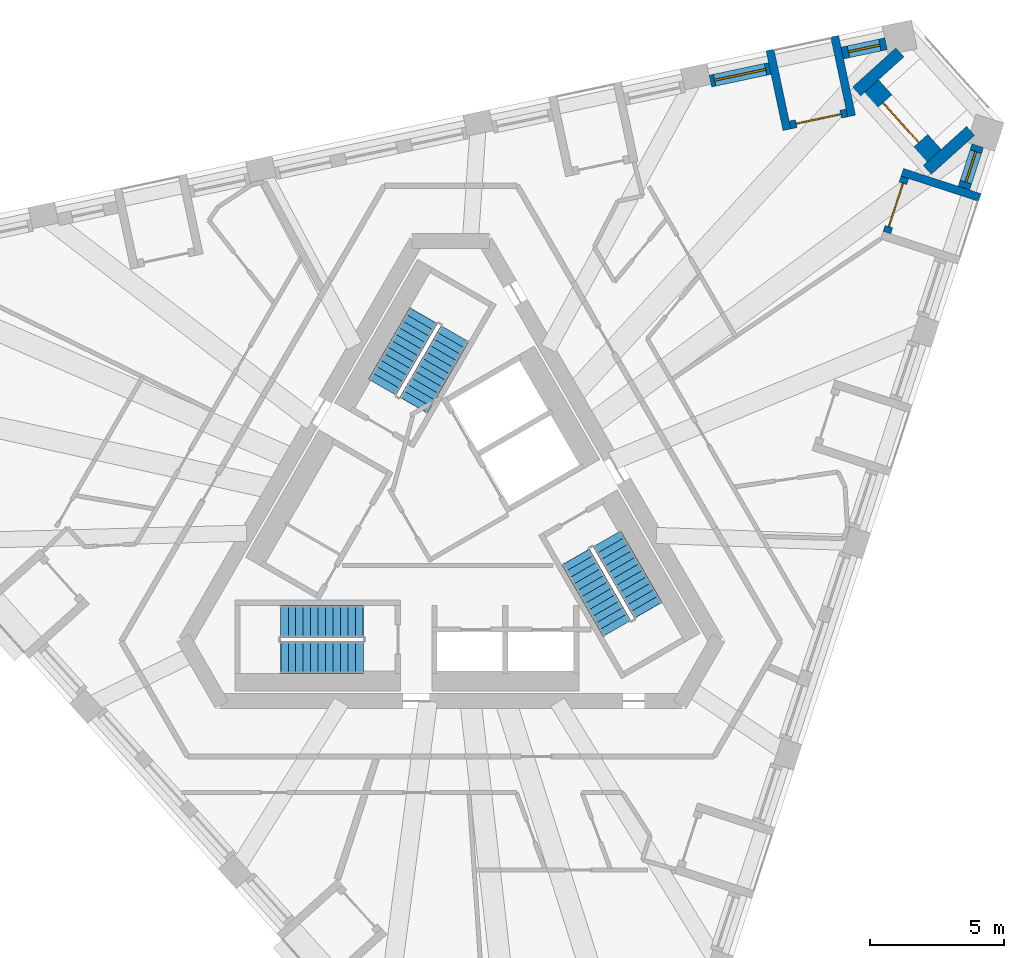
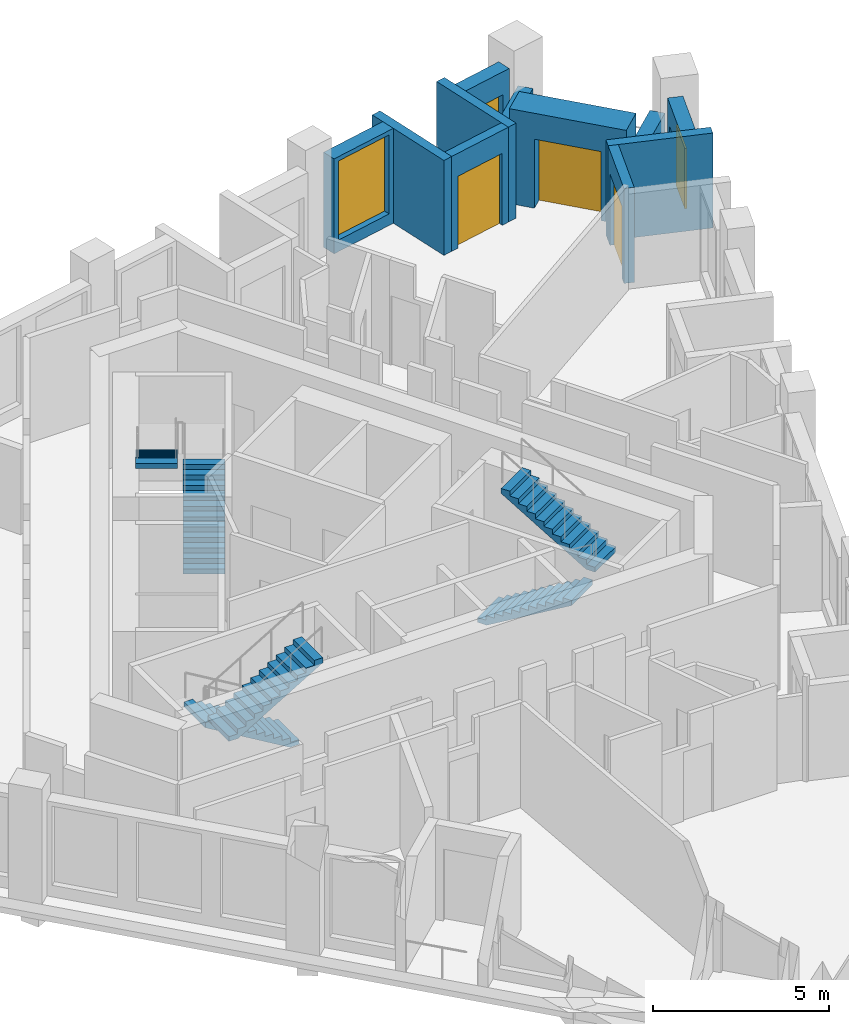
# One storey, part 8 of 12: 11 walls, 6 stair flights, 3 doors, 3 windows, 6 openings, 3 elements without a shape of their own.
"""IFC4 building model written with IfcOpenShell, lengths in metres."""

import ifcopenshell
import ifcopenshell.guid

model = None  # the IFC model being written
_history = None  # IfcOwnerHistory: only IFC2X3 demands one
_inside = {}  # id of a spatial element -> (the spatial element, [elements in it])
_under = {}  # id of a project, library or spatial element -> (it, [spatial elements below it])
_declared = {}  # id of a project -> (the project, [libraries it declares])
_typed = {}  # id of a type object -> (the type object, [elements of that type])
_made_of = {}  # id of a material, layer set ... -> (it, [elements and type objects made of it])


def new_model(schema):
    """Start an empty IFC model of exactly this schema.

    Asked for "IFC4X3", IfcOpenShell would pick the latest addendum, in which some entities
    have other attributes; the version numbers below select the first issue.
    IFC2X3 requires an IfcOwnerHistory on every rooted entity: one is made here for all.
    """
    global model, _history
    if schema == "IFC4X3":
        model = ifcopenshell.file(schema_version=(4, 3, 0, 0))
    else:
        model = ifcopenshell.file(schema=schema)
    _inside.clear()
    _under.clear()
    _declared.clear()
    _typed.clear()
    _made_of.clear()
    _history = None
    if model.schema == "IFC2X3":
        org = make("IfcOrganization", Name="unknown")
        user = make(
            "IfcPersonAndOrganization",
            ThePerson=make("IfcPerson", FamilyName="unknown"),
            TheOrganization=org,
        )
        app = make(
            "IfcApplication",
            ApplicationDeveloper=org,
            Version="unknown",
            ApplicationFullName="unknown",
            ApplicationIdentifier="unknown",
        )
        _history = make(
            "IfcOwnerHistory",
            OwningUser=user,
            OwningApplication=app,
            ChangeAction="ADDED",
            CreationDate=0,
        )
    return model


def make(cls, **values):
    """One entity of the class cls with the attributes given. An attribute that is None is left unset."""
    return model.create_entity(
        cls, **{name: value for name, value in values.items() if value is not None}
    )


def rooted(cls, **values):
    """An entity with a GlobalId (a new one), such as an element, a storey or a relation."""
    return make(cls, GlobalId=ifcopenshell.guid.new(), OwnerHistory=_history, **values)


def si_unit(unit_type, name, prefix=None):
    """IfcSIUnit, for example si_unit("LENGTHUNIT", "METRE", prefix="MILLI")."""
    return make("IfcSIUnit", UnitType=unit_type, Prefix=prefix, Name=name)


def assignment(units):
    """IfcUnitAssignment: the units of a project."""
    return None if units is None else make("IfcUnitAssignment", Units=units)


def point(xyz):
    """IfcCartesianPoint."""
    return None if xyz is None else make("IfcCartesianPoint", Coordinates=xyz)


def direction(xyz):
    """IfcDirection."""
    return None if xyz is None else make("IfcDirection", DirectionRatios=xyz)


def frame(location, z_axis=None, x_axis=None):
    """IfcAxis2Placement3D, a coordinate frame: its origin and axes. An axis left out is left unset."""
    return make(
        "IfcAxis2Placement3D",
        Location=point(location),
        Axis=direction(z_axis),
        RefDirection=direction(x_axis),
    )


def frame_2d(location, x_axis=None):
    """IfcAxis2Placement2D, a coordinate frame in the plane: its origin and x axis."""
    return make(
        "IfcAxis2Placement2D", Location=point(location), RefDirection=direction(x_axis)
    )


def origin():
    """The frame at (0, 0, 0) with its axes left unset."""
    return frame((0.0, 0.0, 0.0))


def place(relative_to, where):
    """IfcLocalPlacement: puts the frame where relative to a parent placement (None: the world)."""
    return make(
        "IfcLocalPlacement", PlacementRelTo=relative_to, RelativePlacement=where
    )


def context(
    kind, dimensions, precision=None, world=None, true_north=None, identifier=None
):
    """IfcGeometricRepresentationContext, for example the 3D "Model" context."""
    return make(
        "IfcGeometricRepresentationContext",
        ContextIdentifier=identifier,
        ContextType=kind,
        CoordinateSpaceDimension=dimensions,
        Precision=precision,
        WorldCoordinateSystem=world,
        TrueNorth=true_north,
    )


def subcontext(parent, identifier, kind, view, scale=None):
    """IfcGeometricRepresentationSubContext, for example "Body" below "Model"."""
    return make(
        "IfcGeometricRepresentationSubContext",
        ContextIdentifier=identifier,
        ContextType=kind,
        ParentContext=parent,
        TargetScale=scale,
        TargetView=view,
    )


def project(units=None, contexts=None):
    """IfcProject with its units and contexts."""
    return rooted(
        "IfcProject",
        Name="project",
        RepresentationContexts=contexts,
        UnitsInContext=assignment(units),
    )


def spatial(cls, under=None, at=None, **own):
    """A site, building, storey or space (cls), placed at a placement, below another one or the project."""
    s = rooted(cls, ObjectPlacement=at, **own)
    if under is not None:
        _under.setdefault(under.id(), (under, []))[1].append(s)
    return s


def polyline(points):
    """IfcPolyline through the points."""
    return make("IfcPolyline", Points=[point(p) for p in points])


def profile(cls, at=None, kind="AREA", **sizes):
    """A parametric profile (cls). Its sizes go by their IFC names, for example OverallWidth=200.0."""
    return make(cls, ProfileType=kind, Position=at, **sizes)


def rectangle(**sizes):
    """IfcRectangleProfileDef."""
    return profile("IfcRectangleProfileDef", **sizes)


def outline(outer, holes=None, kind="AREA"):
    """IfcArbitraryClosedProfileDef: a profile drawn as a closed curve; with holes, ...WithVoids."""
    if holes is None:
        return make("IfcArbitraryClosedProfileDef", ProfileType=kind, OuterCurve=outer)
    return make(
        "IfcArbitraryProfileDefWithVoids",
        ProfileType=kind,
        OuterCurve=outer,
        InnerCurves=holes,
    )


def extrude(swept, where, along, depth):
    """IfcExtrudedAreaSolid: the profile swept, set in the frame where, extruded along a direction by depth."""
    return make(
        "IfcExtrudedAreaSolid",
        SweptArea=swept,
        Position=where,
        ExtrudedDirection=direction(along),
        Depth=depth,
    )


def shape(context_of_items, identifier, shape_type, items):
    """IfcShapeRepresentation: the items that make up one representation, for example the "Body"."""
    return make(
        "IfcShapeRepresentation",
        ContextOfItems=context_of_items,
        RepresentationIdentifier=identifier,
        RepresentationType=shape_type,
        Items=items,
    )


def material(Name=None, Category=None):
    """IfcMaterial."""
    return make("IfcMaterial", Name=Name, Category=Category)


def layer(
    of_material, thickness, ventilated=None, Name=None, Category=None, Priority=None
):
    """IfcMaterialLayer: one layer of a wall or slab, of a material (None: an air gap)."""
    return make(
        "IfcMaterialLayer",
        Material=of_material,
        LayerThickness=thickness,
        IsVentilated=ventilated,
        Name=Name,
        Category=Category,
        Priority=Priority,
    )


def layer_set(layers, Name=None):
    """IfcMaterialLayerSet."""
    return make("IfcMaterialLayerSet", MaterialLayers=layers, LayerSetName=Name)


def made_of(thing, what):
    """Note that an element or type object is made of a material, layer set ...; save() writes the relation."""
    if what is not None:
        _made_of.setdefault(what.id(), (what, []))[1].append(thing)
    return thing


def type_object(cls, material=None, **own):
    """A type object (cls), such as IfcWallType, which elements share."""
    return made_of(rooted(cls, **own), material)


def element(
    cls,
    number,
    at=None,
    inside=None,
    cuts=None,
    type_object=None,
    material=None,
    context=None,
    identifier="Body",
    shape_type=None,
    held_by="IfcProductDefinitionShape",
    body=None,
    shapes=None,
    **own,
):
    """One element of the class cls, such as IfcWall. Its Tag is "e" and its number.

    at: its placement. inside: the storey or other place that contains it. cuts: it is an
    opening in that element (IfcRelVoidsElement). A single representation is given by context,
    identifier, shape_type and body (its items); several are given by shapes. held_by: the class
    of the entity that holds the representations. save() writes the other relations.
    """
    e = rooted(cls, Tag="e%d" % number, ObjectPlacement=at, **own)
    if body is not None:
        shapes = [shape(context, identifier, shape_type, body)]
    if shapes is not None:
        e.Representation = make(held_by, Representations=shapes)
    if inside is not None:
        _inside.setdefault(inside.id(), (inside, []))[1].append(e)
    if cuts is not None:
        rooted(
            "IfcRelVoidsElement", RelatingBuildingElement=cuts, RelatedOpeningElement=e
        )
    if type_object is not None:
        _typed.setdefault(type_object.id(), (type_object, []))[1].append(e)
    return made_of(e, material)


def fill(opening, filler):
    """IfcRelFillsElement: the door or window that sits in an opening."""
    return rooted(
        "IfcRelFillsElement",
        RelatingOpeningElement=opening,
        RelatedBuildingElement=filler,
    )


def aggregate(whole, parts):
    """IfcRelAggregates: a whole, such as a stair, and the parts it consists of."""
    return rooted("IfcRelAggregates", RelatingObject=whole, RelatedObjects=parts)


def save(model, path):
    """Write the relations noted so far, then the file.

    IfcRelAggregates (storeys below a building ...), IfcRelContainedInSpatialStructure (elements
    in a storey), IfcRelDefinesByType, IfcRelAssociatesMaterial and IfcRelDeclares: one each for
    every whole, place, type object, material and project.
    """
    for whole, parts in _under.values():
        aggregate(whole, parts)
    for where, things in _inside.values():
        rooted(
            "IfcRelContainedInSpatialStructure",
            RelatedElements=things,
            RelatingStructure=where,
        )
    for kind, things in _typed.values():
        rooted("IfcRelDefinesByType", RelatedObjects=things, RelatingType=kind)
    for what, things in _made_of.values():
        rooted("IfcRelAssociatesMaterial", RelatedObjects=things, RelatingMaterial=what)
    for by, libraries in _declared.values():
        rooted("IfcRelDeclares", RelatingContext=by, RelatedDefinitions=libraries)
    model.write(path)


model = new_model("IFC4")

# Units and contexts
model_context = context("Model", 3, precision=1e-05, world=origin(), true_north=direction((0.0, 1.0)))
body_context = subcontext(model_context, "Body", "Model", "MODEL_VIEW")
ifc_project = project(units=[si_unit("LENGTHUNIT", "METRE"), si_unit("AREAUNIT", "SQUARE_METRE"), si_unit("VOLUMEUNIT", "CUBIC_METRE"), si_unit("PLANEANGLEUNIT", "RADIAN"), si_unit("MASSUNIT", "GRAM", prefix="KILO")], contexts=[model_context])

# Site, building, storey
site_placement = place(None, origin())
site = spatial("IfcSite", under=ifc_project, at=site_placement, CompositionType="ELEMENT")
building_placement = place(site_placement, origin())
building = spatial("IfcBuilding", under=site, at=building_placement, Name="Tramontana Tower", CompositionType="ELEMENT")
storey_placement = place(building_placement, frame((0.0, 0.0, 336.39990234375)))
storey = spatial("IfcBuildingStorey", under=building, at=storey_placement, Name="L77", CompositionType="ELEMENT", Elevation=336.39990234375)

# Wall, opening, window
ifc_material_1 = material(Name="Precast concrete 60 MPa", Category="concrete")
ifc_layer_1 = layer(ifc_material_1, 0.449951171875)
ifc_layer_set_1 = layer_set([ifc_layer_1], Name="Precast concrete 60 MPa, 450 mm")
wall_type_1 = type_object("IfcWallType", Name="EW1 Stone-faced precast wall 450", PredefinedType="SOLIDWALL", material=ifc_layer_set_1)
wall_1_placement = place(storey_placement, frame((19.1904296875, 12.705078125, 0.0), z_axis=(0.0, 0.0, 1.0), x_axis=(0.30898696848, 0.951066271776, 0.0)))
wall_1 = element("IfcWall", 1, at=wall_1_placement, inside=storey, type_object=wall_type_1, Name="External wall L77 face 1 bay 5", PredefinedType="SOLIDWALL", context=body_context, shape_type="SweptSolid", body=[
    extrude(rectangle(XDim=1.671142578125, YDim=0.449951171875, at=frame_2d((0.83544921875, 0.0))), origin(), (0.0, 0.0, 1.0), 3.300048828125),
])
opening_1_placement = place(wall_1_placement, frame((0.235595703125, 0.0, 0.39990234375)))
opening_1 = element("IfcOpeningElement", 2, at=opening_1_placement, cuts=wall_1, Name="Opening N3L", PredefinedType="OPENING", context=body_context, shape_type="SweptSolid", body=[
    extrude(rectangle(XDim=1.199951171875, YDim=2.10009765625, at=frame_2d((0.60009765625, 1.050048828125))), frame((0.0, 0.23486328125, 0.0), z_axis=(0.0, -1.0, 0.0), x_axis=(1.0, 0.0, 0.0)), (0.0, 0.0, 1.0), 0.469970703125),
])
ifc_material_2 = material(Name="Aluminum frame, double glazing unit", Category="aluminium")
window_type_1 = type_object("IfcWindowType", Name="N3L Window 1.2 x 2.1", PartitioningType="SINGLE_PANEL", PredefinedType="WINDOW", material=ifc_material_2)
window_1_placement = place(opening_1_placement, origin())
window_1 = element("IfcWindow", 3, at=window_1_placement, inside=storey, type_object=window_type_1, Name="Window N3L L77 face 1 module 15", OverallHeight=2.10009765625, OverallWidth=1.199951171875, PartitioningType="SINGLE_PANEL", PredefinedType="WINDOW", context=body_context, shape_type="SweptSolid", body=[
    extrude(rectangle(XDim=1.199951171875, YDim=2.10009765625, at=frame_2d((0.60009765625, 1.050048828125))), frame((0.0, 0.030029296875, 0.0), z_axis=(0.0, -1.0, 0.0), x_axis=(1.0, 0.0, 0.0)), (0.0, 0.0, 1.0), 0.06005859375),
])
fill(opening_1, window_1)

wall_2_placement = place(storey_placement, frame((16.276123046875, 18.104736328125, 0.0), z_axis=(0.0, 0.0, 1.0), x_axis=(-0.978126168783, -0.208012494676, 0.0)))
wall_2 = element("IfcWall", 4, at=wall_2_placement, inside=storey, type_object=wall_type_1, Name="External wall L77 face 2 bay 1", PredefinedType="SOLIDWALL", context=body_context, shape_type="SweptSolid", body=[
    extrude(rectangle(XDim=1.67138671875, YDim=0.449951171875, at=frame_2d((0.835693359375, 0.0))), origin(), (0.0, 0.0, 1.0), 3.300048828125),
])
opening_2_placement = place(wall_2_placement, frame((0.235595703125, 0.0, 0.39990234375)))
opening_2 = element("IfcOpeningElement", 5, at=opening_2_placement, cuts=wall_2, Name="Opening N3L", PredefinedType="OPENING", context=body_context, shape_type="SweptSolid", body=[
    extrude(rectangle(XDim=1.199951171875, YDim=2.10009765625, at=frame_2d((0.60009765625, 1.050048828125))), frame((0.0, 0.23486328125, 0.0), z_axis=(0.0, -1.0, 0.0), x_axis=(1.0, 0.0, 0.0)), (0.0, 0.0, 1.0), 0.469970703125),
])
window_2_placement = place(opening_2_placement, origin())
window_2 = element("IfcWindow", 6, at=window_2_placement, inside=storey, type_object=window_type_1, Name="Window N3L L77 face 2 module 1", OverallHeight=2.10009765625, OverallWidth=1.199951171875, PartitioningType="SINGLE_PANEL", PredefinedType="WINDOW", context=body_context, shape_type="SweptSolid", body=[
    extrude(rectangle(XDim=1.199951171875, YDim=2.10009765625, at=frame_2d((0.60009765625, 1.050048828125))), frame((0.0, 0.030029296875, 0.0), z_axis=(0.0, -1.0, 0.0), x_axis=(1.0, 0.0, 0.0)), (0.0, 0.0, 1.0), 0.06005859375),
])
fill(opening_2, window_2)

wall_3_placement = place(storey_placement, frame((11.9306640625, 17.180908203125, 0.0), z_axis=(0.0, 0.0, 1.0), x_axis=(-0.978153386925, -0.207884467067, 0.0)))
wall_3 = element("IfcWall", 7, at=wall_3_placement, inside=storey, type_object=wall_type_1, Name="External wall L77 face 2 bay 1", PredefinedType="SOLIDWALL", context=body_context, shape_type="SweptSolid", body=[
    extrude(rectangle(XDim=2.271240234375, YDim=0.449951171875, at=frame_2d((1.1357421875, 0.0))), origin(), (0.0, 0.0, 1.0), 3.300048828125),
])
opening_3_placement = place(wall_3_placement, frame((0.16064453125, 0.0, 0.39990234375)))
opening_3 = element("IfcOpeningElement", 8, at=opening_3_placement, cuts=wall_3, Name="Opening M3", PredefinedType="OPENING", context=body_context, shape_type="SweptSolid", body=[
    extrude(rectangle(XDim=1.949951171875, YDim=2.75, at=frame_2d((0.97509765625, 1.375))), frame((0.0, 0.23486328125, 0.0), z_axis=(0.0, -1.0, 0.0), x_axis=(1.0, 0.0, 0.0)), (0.0, 0.0, 1.0), 0.469970703125),
])
ifc_material_3 = material(Name="Aluminum frame, double glazing unit", Category="aluminium")
window_type_2 = type_object("IfcWindowType", Name="M3 Window 1.95 x 2.75", PartitioningType="SINGLE_PANEL", PredefinedType="WINDOW", material=ifc_material_3)
window_3_placement = place(opening_3_placement, origin())
window_3 = element("IfcWindow", 9, at=window_3_placement, inside=storey, type_object=window_type_2, Name="Window M3 L77 face 2 module 3", OverallHeight=2.75, OverallWidth=1.949951171875, PartitioningType="SINGLE_PANEL", PredefinedType="WINDOW", context=body_context, shape_type="SweptSolid", body=[
    extrude(rectangle(XDim=1.949951171875, YDim=2.75, at=frame_2d((0.97509765625, 1.375))), frame((0.0, 0.030029296875, 0.0), z_axis=(0.0, -1.0, 0.0), x_axis=(1.0, 0.0, 0.0)), (0.0, 0.0, 1.0), 0.06005859375),
])
fill(opening_3, window_3)

# Walls
wall_4_placement = place(storey_placement, frame((16.795654296875, 17.780517578125, 0.0), z_axis=(0.0, 0.0, 1.0), x_axis=(-0.743165997662, -0.669107091518, 0.0)))
element("IfcWall", 10, at=wall_4_placement, inside=storey, type_object=wall_type_1, Name="Corner loggia side wall L77 K82l", PredefinedType="SOLIDWALL", context=body_context, shape_type="SweptSolid", body=[
    extrude(rectangle(XDim=2.178955078125, YDim=0.449951171875, at=frame_2d((1.08935546875, 0.0))), origin(), (0.0, 0.0, 1.0), 2.550048828125),
])
wall_5_placement = place(storey_placement, frame((19.438720703125, 14.84521484375, 0.0), z_axis=(0.0, 0.0, 1.0), x_axis=(-0.743110286166, -0.669168964159, 0.0)))
element("IfcWall", 11, at=wall_5_placement, inside=storey, type_object=wall_type_1, Name="Corner loggia side wall L77 K82r", PredefinedType="SOLIDWALL", context=body_context, shape_type="SweptSolid", body=[
    extrude(rectangle(XDim=2.17919921875, YDim=0.449951171875, at=frame_2d((1.089599609375, 0.0))), origin(), (0.0, 0.0, 1.0), 2.550048828125),
])

# Wall, opening, door
ifc_material_4 = material(Name="Precast concrete 60 MPa", Category="concrete")
ifc_layer_2 = layer(ifc_material_4, 0.89990234375)
ifc_layer_set_2 = layer_set([ifc_layer_2], Name="EW2 Stone-faced corner loggia wall 900")
wall_type_2 = type_object("IfcWallType", Name="EW2 Stone-faced corner loggia wall 900", PredefinedType="SOLIDWALL", material=ifc_layer_set_2)
wall_6_placement = place(storey_placement, frame((15.6611328125, 16.456298828125, 0.0), z_axis=(0.0, 0.0, 1.0), x_axis=(0.669134277936, -0.743141519559, 0.0)))
wall_6 = element("IfcWall", 12, at=wall_6_placement, inside=storey, type_object=wall_type_2, Name="Corner loggia wall L77 K82", PredefinedType="SOLIDWALL", context=body_context, shape_type="SweptSolid", body=[
    extrude(rectangle(XDim=3.5, YDim=0.89990234375, at=frame_2d((1.75, 0.0))), origin(), (0.0, 0.0, 1.0), 3.300048828125),
])
opening_4_placement = place(wall_6_placement, frame((0.75, 0.0, 0.0)))
opening_4 = element("IfcOpeningElement", 13, at=opening_4_placement, cuts=wall_6, Name="Opening BD-82C", PredefinedType="OPENING", context=body_context, shape_type="SweptSolid", body=[
    extrude(rectangle(XDim=2.0, YDim=2.39990234375, at=frame_2d((1.0, 1.199951171875))), frame((0.0, 0.4599609375, 0.0), z_axis=(0.0, -1.0, 0.0), x_axis=(1.0, 0.0, 0.0)), (0.0, 0.0, 1.0), 0.919921875),
])
ifc_material_5 = material(Name="Aluminum frame, double glazing unit", Category="aluminium")
door_type_1 = type_object("IfcDoorType", Name="BC1 Sliding door 2 x 2.4", OperationType="SLIDING_TO_LEFT", PredefinedType="DOOR", material=ifc_material_5)
door_1_placement = place(opening_4_placement, origin())
door_1 = element("IfcDoor", 14, at=door_1_placement, inside=storey, type_object=door_type_1, Name="Corner loggia door L77 K82", OperationType="SLIDING_TO_LEFT", OverallHeight=2.39990234375, OverallWidth=2.0, PredefinedType="DOOR", context=body_context, shape_type="SweptSolid", body=[
    extrude(rectangle(XDim=2.0, YDim=2.39990234375, at=frame_2d((1.0, 1.199951171875))), frame((0.0, 0.02490234375, 0.0), z_axis=(0.0, -1.0, 0.0), x_axis=(1.0, 0.0, 0.0)), (0.0, 0.0, 1.0), 0.050048828125),
])
fill(opening_4, door_1)

ifc_material_6 = material(Name="Precast concrete 60 MPa", Category="concrete")
ifc_layer_3 = layer(ifc_material_6, 0.300048828125)
ifc_layer_set_3 = layer_set([ifc_layer_3], Name="LW1 Stone-faced loggia wall 300")
wall_type_3 = type_object("IfcWallType", Name="LW1 Stone-faced loggia wall 300", PredefinedType="SOLIDWALL", material=ifc_layer_set_3)
wall_7_placement = place(storey_placement, frame((16.310546875, 11.042236328125, 0.0), z_axis=(0.0, 0.0, 1.0), x_axis=(0.308999623589, 0.95106216023, 0.0)))
wall_7 = element("IfcWall", 15, at=wall_7_placement, inside=storey, type_object=wall_type_3, Name="Loggia wall L77 G8S1.13", PredefinedType="SOLIDWALL", context=body_context, shape_type="SweptSolid", body=[
    extrude(rectangle(XDim=2.171142578125, YDim=0.300048828125, at=frame_2d((1.08544921875, 0.0))), origin(), (0.0, 0.0, 1.0), 3.300048828125),
])
opening_5_placement = place(wall_7_placement, frame((0.235595703125, 0.0, 0.0)))
opening_5 = element("IfcOpeningElement", 16, at=opening_5_placement, cuts=wall_7, Name="Opening BD-8S1-13", PredefinedType="OPENING", context=body_context, shape_type="SweptSolid", body=[
    extrude(rectangle(XDim=1.699951171875, YDim=2.5, at=frame_2d((0.85009765625, 1.25))), frame((0.0, 0.159912109375, 0.0), z_axis=(0.0, -1.0, 0.0), x_axis=(1.0, 0.0, 0.0)), (0.0, 0.0, 1.0), 0.320068359375),
])
ifc_material_7 = material(Name="Aluminum frame, double glazing unit", Category="aluminium")
door_type_2 = type_object("IfcDoorType", Name="BD3 Sliding door 1.7 x 2.5", OperationType="SLIDING_TO_LEFT", PredefinedType="DOOR", material=ifc_material_7)
door_2_placement = place(opening_5_placement, origin())
door_2 = element("IfcDoor", 17, at=door_2_placement, inside=storey, type_object=door_type_2, Name="Loggia door L77 G8S1.13", OperationType="SLIDING_TO_LEFT", OverallHeight=2.5, OverallWidth=1.699951171875, PredefinedType="DOOR", context=body_context, shape_type="SweptSolid", body=[
    extrude(rectangle(XDim=1.699951171875, YDim=2.5, at=frame_2d((0.85009765625, 1.25))), frame((0.0, 0.02490234375, 0.0), z_axis=(0.0, -1.0, 0.0), x_axis=(1.0, 0.0, 0.0)), (0.0, 0.0, 1.0), 0.050048828125),
])
fill(opening_5, door_2)

# Wall
wall_8_placement = place(storey_placement, frame((19.785888671875, 12.353759765625, 0.0), z_axis=(0.0, 0.0, 1.0), x_axis=(-0.951041715693, 0.309062542235, 0.0)))
element("IfcWall", 18, at=wall_8_placement, inside=storey, type_object=wall_type_3, Name="Loggia return L77 G8S1.13b", PredefinedType="SOLIDWALL", context=body_context, shape_type="SweptSolid", body=[
    extrude(rectangle(XDim=3.050048828125, YDim=0.300048828125, at=frame_2d((1.52490234375, 0.0))), origin(), (0.0, 0.0, 1.0), 3.300048828125),
])

# Wall, opening, door
wall_9_placement = place(storey_placement, frame((14.810546875, 15.518310546875, 0.0), z_axis=(0.0, 0.0, 1.0), x_axis=(-0.978148276005, -0.207908513891, 0.0)))
wall_9 = element("IfcWall", 19, at=wall_9_placement, inside=storey, type_object=wall_type_3, Name="Loggia wall L77 G8S2.1", PredefinedType="SOLIDWALL", context=body_context, shape_type="SweptSolid", body=[
    extrude(rectangle(XDim=2.171142578125, YDim=0.300048828125, at=frame_2d((1.08544921875, 0.0))), origin(), (0.0, 0.0, 1.0), 3.300048828125),
])
opening_6_placement = place(wall_9_placement, frame((0.235595703125, 0.0, 0.0)))
opening_6 = element("IfcOpeningElement", 20, at=opening_6_placement, cuts=wall_9, Name="Opening BD-8S2-01", PredefinedType="OPENING", context=body_context, shape_type="SweptSolid", body=[
    extrude(rectangle(XDim=1.699951171875, YDim=2.5, at=frame_2d((0.85009765625, 1.25))), frame((0.0, 0.159912109375, 0.0), z_axis=(0.0, -1.0, 0.0), x_axis=(1.0, 0.0, 0.0)), (0.0, 0.0, 1.0), 0.320068359375),
])
door_3_placement = place(opening_6_placement, origin())
door_3 = element("IfcDoor", 21, at=door_3_placement, inside=storey, type_object=door_type_2, Name="Loggia door L77 G8S2.1", OperationType="SLIDING_TO_LEFT", OverallHeight=2.5, OverallWidth=1.699951171875, PredefinedType="DOOR", context=body_context, shape_type="SweptSolid", body=[
    extrude(rectangle(XDim=1.699951171875, YDim=2.5, at=frame_2d((0.85009765625, 1.25))), frame((0.0, 0.02490234375, 0.0), z_axis=(0.0, -1.0, 0.0), x_axis=(1.0, 0.0, 0.0)), (0.0, 0.0, 1.0), 0.050048828125),
])
fill(opening_6, door_3)

# Walls
wall_10_placement = place(storey_placement, frame((14.354248046875, 18.38623046875, 0.0), z_axis=(0.0, 0.0, 1.0), x_axis=(0.207954487003, -0.978138503145, 0.0)))
element("IfcWall", 22, at=wall_10_placement, inside=storey, type_object=wall_type_3, Name="Loggia return L77 G8S2.1a", PredefinedType="SOLIDWALL", context=body_context, shape_type="SweptSolid", body=[
    extrude(rectangle(XDim=3.050048828125, YDim=0.300048828125, at=frame_2d((1.52490234375, 0.0))), origin(), (0.0, 0.0, 1.0), 3.300048828125),
])
wall_11_placement = place(storey_placement, frame((11.93701171875, 17.872314453125, 0.0), z_axis=(0.0, 0.0, 1.0), x_axis=(0.207894179953, -0.978151322619, 0.0)))
element("IfcWall", 23, at=wall_11_placement, inside=storey, type_object=wall_type_3, Name="Loggia return L77 G8S2.1b", PredefinedType="SOLIDWALL", context=body_context, shape_type="SweptSolid", body=[
    extrude(rectangle(XDim=3.0498046875, YDim=0.300048828125, at=frame_2d((1.52490234375, 0.0))), origin(), (0.0, 0.0, 1.0), 3.300048828125),
])

# Stair, stair flights
ifc_material_8 = material(Name="Concrete 40 MPa", Category="concrete")
stair_type = type_object("IfcStairType", Name="EXIT STAIR 24 RISERS", PredefinedType="HALF_TURN_STAIR", material=ifc_material_8)
stair_1_placement = place(storey_placement, origin())
stair_1 = element("IfcStair", 24, at=stair_1_placement, inside=storey, type_object=stair_type, Name="L77 Exit stair ST1", PredefinedType="HALF_TURN_STAIR")
ifc_material_9 = material(Name="Concrete 40 MPa", Category="concrete")
ifc_layer_4 = layer(ifc_material_9, 0.14990234375)
ifc_layer_set_4 = layer_set([ifc_layer_4], Name="EXIT STAIR FLIGHT")
stair_flight_type = type_object("IfcStairFlightType", Name="EXIT STAIR FLIGHT", PredefinedType="STRAIGHT", material=ifc_layer_set_4)
stair_flight_1_placement = place(storey_placement, frame((-1.39111328125, 4.590576171875, 0.0), z_axis=(0.0, 0.0, 1.0), x_axis=(0.5, 0.866025403784, 0.0)))
stair_flight_1 = element("IfcStairFlight", 25, at=stair_flight_1_placement, type_object=stair_flight_type, Name="ST1 flight 1", NumberOfRisers=12, NumberOfTreads=11, PredefinedType="STRAIGHT", RiserHeight=0.166666667, TreadLength=0.28, context=body_context, shape_type="SweptSolid", body=[
    extrude(outline(polyline([(-0.006103515625, 0.0), (-0.006103515625, 0.0400390625), (0.0, 0.0400390625), (0.0, 0.166748046875), (0.280029296875, 0.166748046875), (0.280029296875, 0.333251953125), (0.56005859375, 0.333251953125), (0.56005859375, 0.5), (0.840087890625, 0.5), (0.840087890625, 0.666748046875), (1.1201171875, 0.666748046875), (1.1201171875, 0.833251953125), (1.39990234375, 0.833251953125), (1.39990234375, 1.0), (1.679931640625, 1.0), (1.679931640625, 1.166748046875), (1.9599609375, 1.166748046875), (1.9599609375, 1.333251953125), (2.239990234375, 1.333251953125), (2.239990234375, 1.5), (2.52001953125, 1.5), (2.52001953125, 1.666748046875), (2.800048828125, 1.666748046875), (2.800048828125, 1.833251953125), (3.080078125, 1.833251953125), (3.0859375, 1.833251953125), (3.0859375, 1.658935546875), (0.299072265625, 0.0), (-0.006103515625, 0.0)])), frame((0.0, 0.60009765625, 0.0), z_axis=(0.0, -1.0, 0.0), x_axis=(1.0, 0.0, 0.0)), (0.0, 0.0, 1.0), 1.199951171875),
])
stair_flight_2_placement = place(storey_placement, frame((-1.020263671875, 7.932861328125, 2.0), z_axis=(0.0, 0.0, 1.0), x_axis=(-0.5, -0.866025403784, 0.0)))
stair_flight_2 = element("IfcStairFlight", 26, at=stair_flight_2_placement, type_object=stair_flight_type, Name="ST1 flight 2", NumberOfRisers=12, NumberOfTreads=11, PredefinedType="STRAIGHT", RiserHeight=0.166666667, TreadLength=0.28, context=body_context, shape_type="SweptSolid", body=[
    extrude(outline(polyline([(-0.006103515625, 0.0), (-0.006103515625, 0.0400390625), (0.0, 0.0400390625), (0.0, 0.166748046875), (0.280029296875, 0.166748046875), (0.280029296875, 0.333251953125), (0.56005859375, 0.333251953125), (0.56005859375, 0.5), (0.840087890625, 0.5), (0.840087890625, 0.666748046875), (1.1201171875, 0.666748046875), (1.1201171875, 0.833251953125), (1.39990234375, 0.833251953125), (1.39990234375, 1.0), (1.679931640625, 1.0), (1.679931640625, 1.166748046875), (1.9599609375, 1.166748046875), (1.9599609375, 1.333251953125), (2.239990234375, 1.333251953125), (2.239990234375, 1.5), (2.52001953125, 1.5), (2.52001953125, 1.666748046875), (2.800048828125, 1.666748046875), (2.800048828125, 1.833251953125), (3.080078125, 1.833251953125), (3.0859375, 1.833251953125), (3.0859375, 1.658935546875), (0.299072265625, 0.0), (-0.006103515625, 0.0)])), frame((0.0, 0.60009765625, 0.0), z_axis=(0.0, -1.0, 0.0), x_axis=(1.0, 0.0, 0.0)), (0.0, 0.0, 1.0), 1.199951171875),
])
aggregate(stair_1, [stair_flight_1, stair_flight_2])

stair_2_placement = place(storey_placement, origin())
stair_2 = element("IfcStair", 27, at=stair_2_placement, inside=storey, type_object=stair_type, Name="L77 Exit stair ST2", PredefinedType="HALF_TURN_STAIR")
stair_flight_3_placement = place(storey_placement, frame((-3.280029296875, -3.5, 0.0), z_axis=(0.0, 0.0, 1.0), x_axis=(-1.0, 0.0, 0.0)))
stair_flight_3 = element("IfcStairFlight", 28, at=stair_flight_3_placement, type_object=stair_flight_type, Name="ST2 flight 1", NumberOfRisers=12, NumberOfTreads=11, PredefinedType="STRAIGHT", RiserHeight=0.166666667, TreadLength=0.28, context=body_context, shape_type="SweptSolid", body=[
    extrude(outline(polyline([(-0.006103515625, 0.0), (-0.006103515625, 0.0400390625), (0.0, 0.0400390625), (0.0, 0.166748046875), (0.280029296875, 0.166748046875), (0.280029296875, 0.333251953125), (0.56005859375, 0.333251953125), (0.56005859375, 0.5), (0.840087890625, 0.5), (0.840087890625, 0.666748046875), (1.1201171875, 0.666748046875), (1.1201171875, 0.833251953125), (1.39990234375, 0.833251953125), (1.39990234375, 1.0), (1.679931640625, 1.0), (1.679931640625, 1.166748046875), (1.9599609375, 1.166748046875), (1.9599609375, 1.333251953125), (2.239990234375, 1.333251953125), (2.239990234375, 1.5), (2.52001953125, 1.5), (2.52001953125, 1.666748046875), (2.800048828125, 1.666748046875), (2.800048828125, 1.833251953125), (3.080078125, 1.833251953125), (3.0859375, 1.833251953125), (3.0859375, 1.658935546875), (0.299072265625, 0.0), (-0.006103515625, 0.0)])), frame((0.0, 0.60009765625, 0.0), z_axis=(0.0, -1.0, 0.0), x_axis=(1.0, 0.0, 0.0)), (0.0, 0.0, 1.0), 1.199951171875),
])
stair_flight_4_placement = place(storey_placement, frame((-6.360107421875, -4.85009765625, 2.0), z_axis=(0.0, 0.0, 1.0), x_axis=(1.0, 0.0, 0.0)))
stair_flight_4 = element("IfcStairFlight", 29, at=stair_flight_4_placement, type_object=stair_flight_type, Name="ST2 flight 2", NumberOfRisers=12, NumberOfTreads=11, PredefinedType="STRAIGHT", RiserHeight=0.166666667, TreadLength=0.28, context=body_context, shape_type="SweptSolid", body=[
    extrude(outline(polyline([(-0.006103515625, 0.0), (-0.006103515625, 0.0400390625), (0.0, 0.0400390625), (0.0, 0.166748046875), (0.280029296875, 0.166748046875), (0.280029296875, 0.333251953125), (0.56005859375, 0.333251953125), (0.56005859375, 0.5), (0.840087890625, 0.5), (0.840087890625, 0.666748046875), (1.1201171875, 0.666748046875), (1.1201171875, 0.833251953125), (1.39990234375, 0.833251953125), (1.39990234375, 1.0), (1.679931640625, 1.0), (1.679931640625, 1.166748046875), (1.9599609375, 1.166748046875), (1.9599609375, 1.333251953125), (2.239990234375, 1.333251953125), (2.239990234375, 1.5), (2.52001953125, 1.5), (2.52001953125, 1.666748046875), (2.800048828125, 1.666748046875), (2.800048828125, 1.833251953125), (3.080078125, 1.833251953125), (3.0859375, 1.833251953125), (3.0859375, 1.658935546875), (0.299072265625, 0.0), (-0.006103515625, 0.0)])), frame((0.0, 0.60009765625, 0.0), z_axis=(0.0, -1.0, 0.0), x_axis=(1.0, 0.0, 0.0)), (0.0, 0.0, 1.0), 1.199951171875),
])
aggregate(stair_2, [stair_flight_3, stair_flight_4])

stair_3_placement = place(storey_placement, origin())
stair_3 = element("IfcStair", 30, at=stair_3_placement, inside=storey, type_object=stair_type, Name="L77 Exit stair ST3", PredefinedType="HALF_TURN_STAIR")
stair_flight_5_placement = place(storey_placement, frame((4.671142578125, -1.090576171875, 0.0), z_axis=(0.0, 0.0, 1.0), x_axis=(0.5, -0.866025403784, 0.0)))
stair_flight_5 = element("IfcStairFlight", 31, at=stair_flight_5_placement, type_object=stair_flight_type, Name="ST3 flight 1", NumberOfRisers=12, NumberOfTreads=11, PredefinedType="STRAIGHT", RiserHeight=0.166666667, TreadLength=0.28, context=body_context, shape_type="SweptSolid", body=[
    extrude(outline(polyline([(-0.006103515625, 0.0), (-0.006103515625, 0.0400390625), (0.0, 0.0400390625), (0.0, 0.166748046875), (0.280029296875, 0.166748046875), (0.280029296875, 0.333251953125), (0.56005859375, 0.333251953125), (0.56005859375, 0.5), (0.840087890625, 0.5), (0.840087890625, 0.666748046875), (1.1201171875, 0.666748046875), (1.1201171875, 0.833251953125), (1.39990234375, 0.833251953125), (1.39990234375, 1.0), (1.679931640625, 1.0), (1.679931640625, 1.166748046875), (1.9599609375, 1.166748046875), (1.9599609375, 1.333251953125), (2.239990234375, 1.333251953125), (2.239990234375, 1.5), (2.52001953125, 1.5), (2.52001953125, 1.666748046875), (2.800048828125, 1.666748046875), (2.800048828125, 1.833251953125), (3.080078125, 1.833251953125), (3.0859375, 1.833251953125), (3.0859375, 1.658935546875), (0.299072265625, 0.0), (-0.006103515625, 0.0)])), frame((0.0, 0.60009765625, 0.0), z_axis=(0.0, -1.0, 0.0), x_axis=(1.0, 0.0, 0.0)), (0.0, 0.0, 1.0), 1.199951171875),
])
stair_flight_6_placement = place(storey_placement, frame((7.380126953125, -3.0830078125, 2.0), z_axis=(0.0, 0.0, 1.0), x_axis=(-0.5, 0.866025403784, 0.0)))
stair_flight_6 = element("IfcStairFlight", 32, at=stair_flight_6_placement, type_object=stair_flight_type, Name="ST3 flight 2", NumberOfRisers=12, NumberOfTreads=11, PredefinedType="STRAIGHT", RiserHeight=0.166666667, TreadLength=0.28, context=body_context, shape_type="SweptSolid", body=[
    extrude(outline(polyline([(-0.006103515625, 0.0), (-0.006103515625, 0.0400390625), (0.0, 0.0400390625), (0.0, 0.166748046875), (0.280029296875, 0.166748046875), (0.280029296875, 0.333251953125), (0.56005859375, 0.333251953125), (0.56005859375, 0.5), (0.840087890625, 0.5), (0.840087890625, 0.666748046875), (1.1201171875, 0.666748046875), (1.1201171875, 0.833251953125), (1.39990234375, 0.833251953125), (1.39990234375, 1.0), (1.679931640625, 1.0), (1.679931640625, 1.166748046875), (1.9599609375, 1.166748046875), (1.9599609375, 1.333251953125), (2.239990234375, 1.333251953125), (2.239990234375, 1.5), (2.52001953125, 1.5), (2.52001953125, 1.666748046875), (2.800048828125, 1.666748046875), (2.800048828125, 1.833251953125), (3.080078125, 1.833251953125), (3.0859375, 1.833251953125), (3.0859375, 1.658935546875), (0.299072265625, 0.0), (-0.006103515625, 0.0)])), frame((0.0, 0.60009765625, 0.0), z_axis=(0.0, -1.0, 0.0), x_axis=(1.0, 0.0, 0.0)), (0.0, 0.0, 1.0), 1.199951171875),
])
aggregate(stair_3, [stair_flight_5, stair_flight_6])

save(model, "model.ifc")
